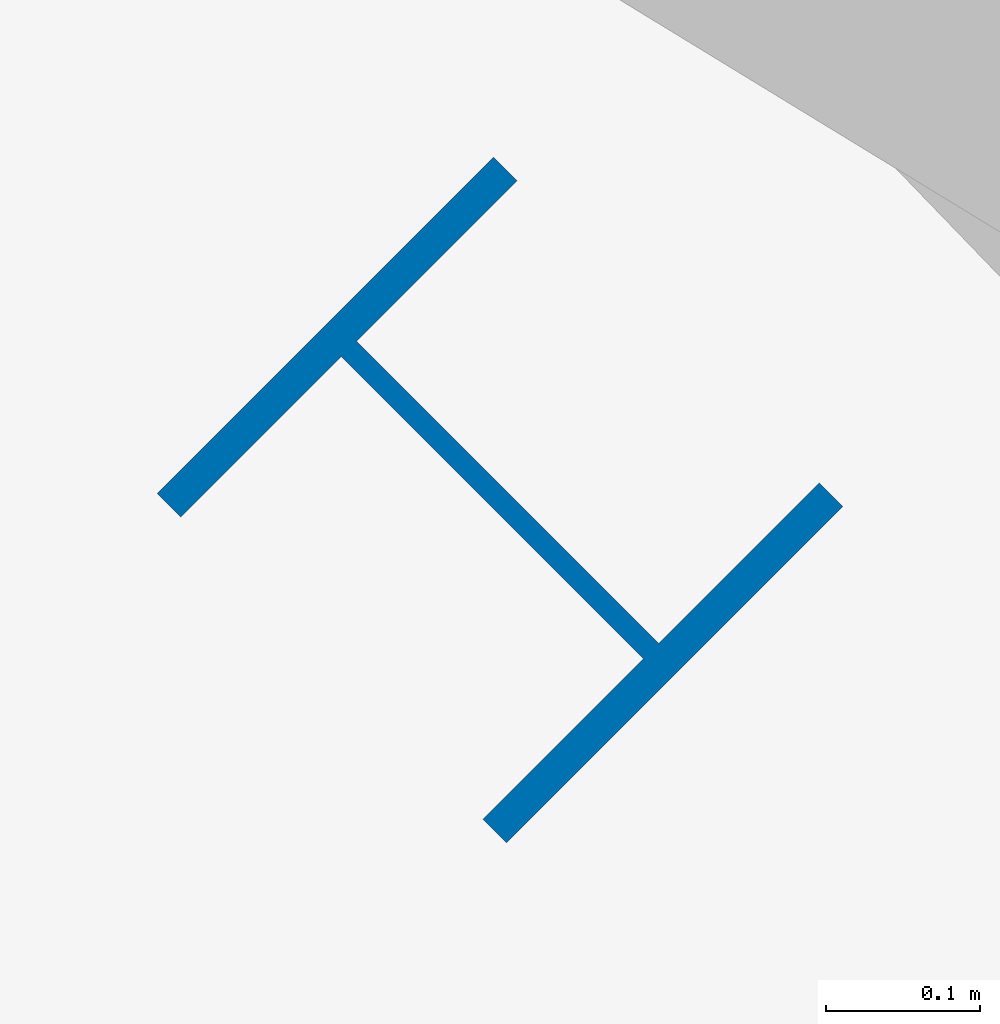
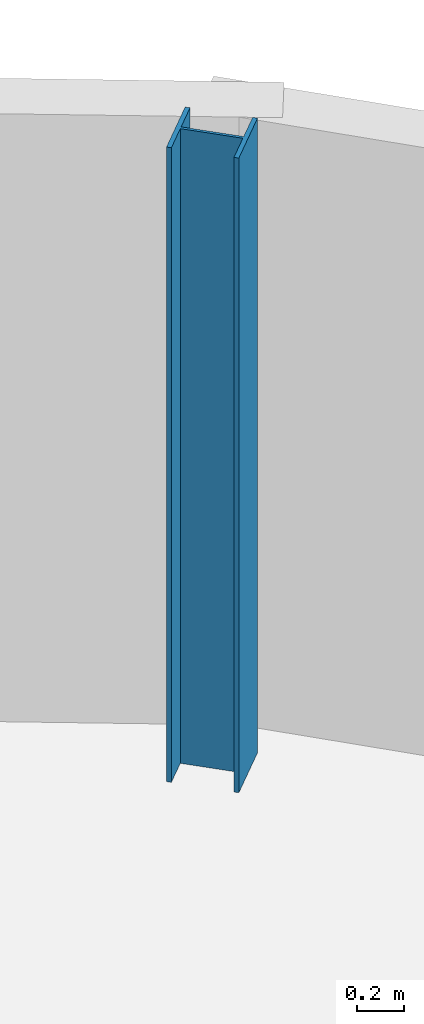
# One storey, part 12 of 35: 1 column.
"""IFC4 building model written with IfcOpenShell, lengths in metres."""

from ifc_helpers import new_model, si_unit, direction, frame, origin, origin_2d, place, context, subcontext, project, spatial, i_section, extrude, material, material_profile, profile_set, type_object, element, save


model = new_model("IFC4")

# Units and contexts
model_context = context("Model", 3, precision=1e-05, world=origin(), true_north=direction((0.0, 1.0)))
body_context = subcontext(model_context, "Body", "Model", "MODEL_VIEW")
ifc_project = project(units=[si_unit("LENGTHUNIT", "METRE"), si_unit("AREAUNIT", "SQUARE_METRE"), si_unit("VOLUMEUNIT", "CUBIC_METRE"), si_unit("PLANEANGLEUNIT", "RADIAN"), si_unit("MASSUNIT", "GRAM", prefix="KILO")], contexts=[model_context])

# Site, building, storey
site_placement = place(None, origin())
site = spatial("IfcSite", under=ifc_project, at=site_placement, CompositionType="ELEMENT")
building_placement = place(site_placement, origin())
building = spatial("IfcBuilding", under=site, at=building_placement, Name="Kalgoora Escarpment Arena", CompositionType="ELEMENT")
storey_placement = place(building_placement, frame((0.0, 0.0, 23.39990234375)))
storey = spatial("IfcBuildingStorey", under=building, at=storey_placement, Name="L05", CompositionType="ELEMENT", Elevation=23.39990234375)

# Column
ifc_material = material(Name="Structural steel AS/NZS 3679 (300 MPa)", Category="steel")
ifc_material_profile = material_profile(ifc_material, i_section(OverallWidth=0.30908203125, OverallDepth=0.321044921875, WebThickness=0.013916015625, FlangeThickness=0.021728515625, at=origin_2d()))
ifc_profile_set = profile_set([ifc_material_profile], Name="Structural steel AS/NZS 3679 (300 MPa)")
column_type = type_object("IfcColumnType", Name="COL-COL-310UC137", PredefinedType="COLUMN", material=ifc_profile_set)
column_placement = place(storey_placement, frame((143.17041015625, 104.30517578125, 0.0), z_axis=(0.0, 0.0, 1.0), x_axis=(0.707106781187, 0.707106781187, 0.0)))
element("IfcColumn", 1, at=column_placement, inside=storey, type_object=column_type, Name="L05 structural column COL-RCONC2-R04", PredefinedType="COLUMN", context=body_context, shape_type="SweptSolid", body=[
    extrude(i_section(OverallWidth=0.30908203125, OverallDepth=0.321044921875, WebThickness=0.013916015625, FlangeThickness=0.021728515625, at=origin_2d()), origin(), (0.0, 0.0, 1.0), 3.320068359375),
])

save(model, "model.ifc")
